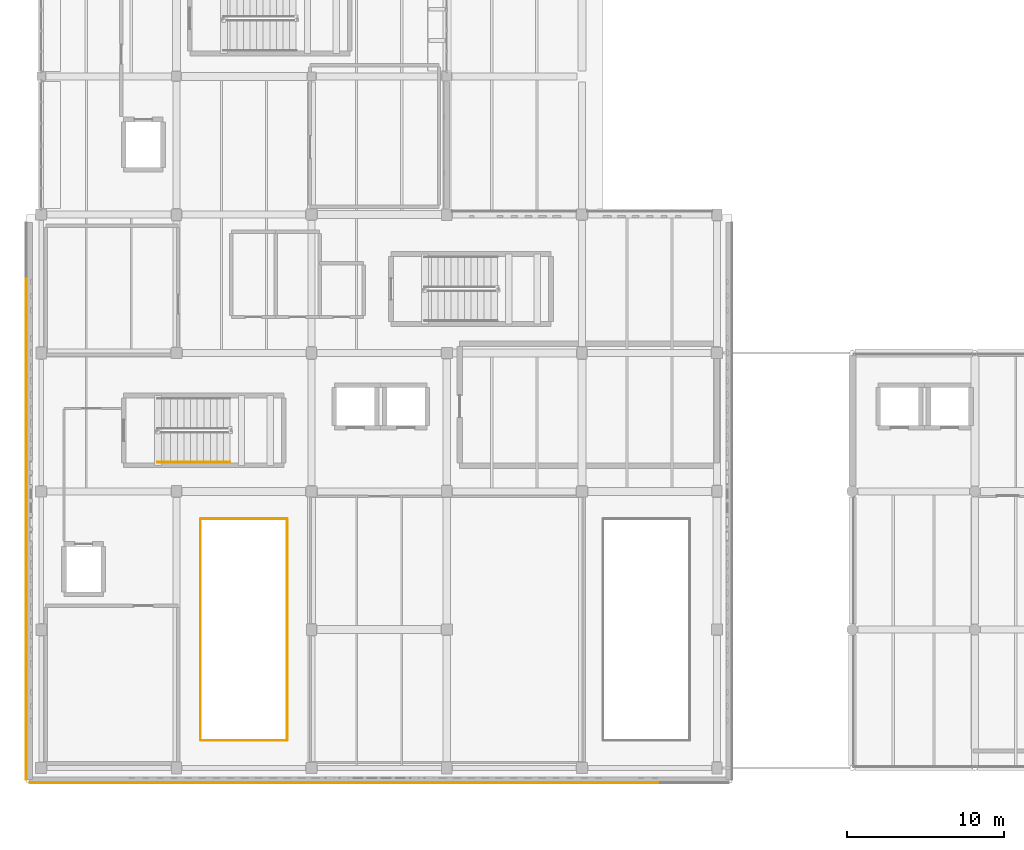
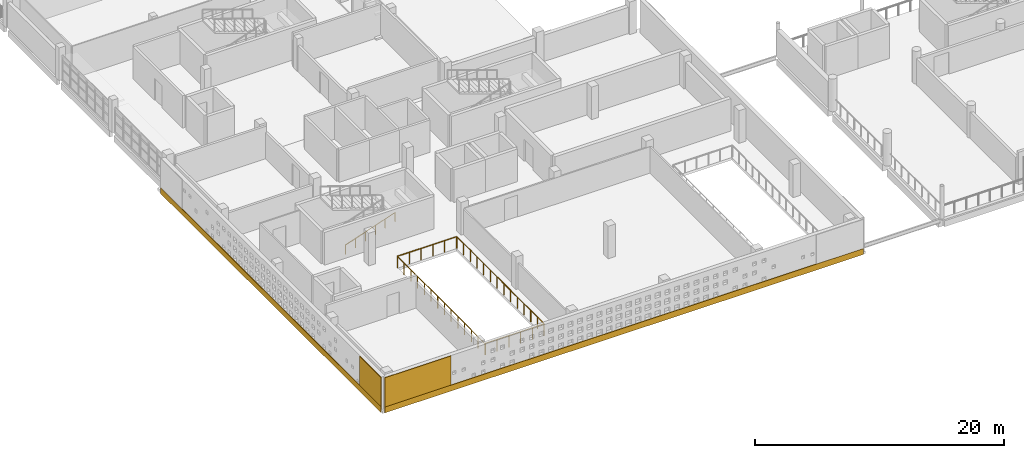
# One storey, part 47 of 55: 5 railings, 4 coverings.
"""IFC4 building model written with IfcOpenShell, lengths in metres."""

from ifc_helpers import new_model, si_unit, direction, frame, origin, origin_2d, place, context, subcontext, project, spatial, rectangle, circle, extrude, material, layer, layer_set, type_object, element, save


model = new_model("IFC4")

# Units and contexts
model_context = context("Model", 3, precision=1e-05, world=origin(), true_north=direction((0.0, 1.0)))
body_context = subcontext(model_context, "Body", "Model", "MODEL_VIEW")
ifc_project = project(units=[si_unit("LENGTHUNIT", "METRE"), si_unit("AREAUNIT", "SQUARE_METRE"), si_unit("VOLUMEUNIT", "CUBIC_METRE"), si_unit("PLANEANGLEUNIT", "RADIAN"), si_unit("MASSUNIT", "GRAM", prefix="KILO")], contexts=[model_context])

# Site, building, storey
site_placement = place(None, origin())
site = spatial("IfcSite", under=ifc_project, at=site_placement, CompositionType="ELEMENT")
building_placement = place(site_placement, origin())
building = spatial("IfcBuilding", under=site, at=building_placement, Name="Varnakota Cinema and Media Centre", CompositionType="ELEMENT")
storey_placement = place(building_placement, frame((0.0, 0.0, 15.60009765625)))
storey = spatial("IfcBuildingStorey", under=building, at=storey_placement, Name="L04", CompositionType="ELEMENT", Elevation=15.60009765625)

# Coverings
ifc_material_1 = material(Name="Pale Tandur limestone cladding", Category="masonry")
ifc_layer_1 = layer(ifc_material_1, 0.06005859375)
ifc_layer_set_1 = layer_set([ifc_layer_1], Name="Pale Tandur limestone cladding")
covering_type = type_object("IfcCoveringType", Name="COV-TANDUR-ASHLAR-60", PredefinedType="CLADDING", material=ifc_layer_set_1)
covering_1_placement = place(storey_placement, frame((21.5, -0.945068359375, -0.250244140625), z_axis=(0.0, 0.0, 1.0), x_axis=(-1.0, 0.0, 0.0)))
element("IfcCovering", 1, at=covering_1_placement, inside=storey, type_object=covering_type, Name="L04 V4 pale Tandur stone spandrel ashlar V4-S", PredefinedType="CLADDING", context=body_context, shape_type="SweptSolid", body=[
    extrude(rectangle(XDim=44.47998046875, YDim=0.06005859375, at=origin_2d()), origin(), (0.0, 0.0, 1.0), 0.580078125),
])
covering_2_placement = place(storey_placement, frame((2.344970703125, -0.945068359375, 0.329833984375), z_axis=(0.0, 0.0, 1.0), x_axis=(-1.0, 0.0, 0.0)))
element("IfcCovering", 2, at=covering_2_placement, inside=storey, type_object=covering_type, Name="L04 V4 pale Tandur stone right corner ashlar V4-S", PredefinedType="CLADDING", context=body_context, shape_type="SweptSolid", body=[
    extrude(rectangle(XDim=6.169921875, YDim=0.06005859375, at=origin_2d()), origin(), (0.0, 0.0, 1.0), 2.8701171875),
])
covering_3_placement = place(storey_placement, frame((-0.945068359375, 16.97998046875, -0.250244140625), z_axis=(0.0, 0.0, 1.0), x_axis=(0.0, 1.0, 0.0)))
element("IfcCovering", 3, at=covering_3_placement, inside=storey, type_object=covering_type, Name="L04 V4 pale Tandur stone spandrel ashlar V4-W", PredefinedType="CLADDING", context=body_context, shape_type="SweptSolid", body=[
    extrude(rectangle(XDim=35.43994140625, YDim=0.06005859375, at=origin_2d()), origin(), (0.0, 0.0, 1.0), 0.580078125),
])
covering_4_placement = place(storey_placement, frame((-0.945068359375, 0.985107421875, 0.329833984375), z_axis=(0.0, 0.0, 1.0), x_axis=(0.0, 1.0, 0.0)))
element("IfcCovering", 4, at=covering_4_placement, inside=storey, type_object=covering_type, Name="L04 V4 pale Tandur stone left corner ashlar V4-W", PredefinedType="CLADDING", context=body_context, shape_type="SweptSolid", body=[
    extrude(rectangle(XDim=3.449951171875, YDim=0.06005859375, at=origin_2d()), origin(), (0.0, 0.0, 1.0), 2.8701171875),
])

# Railings
ifc_material_2 = material(Name="Anodised golden-bronze steel Grade 350 (E350)", Category="steel")
ifc_layer_2 = layer(ifc_material_2, 0.050048828125)
ifc_layer_set_2 = layer_set([ifc_layer_2], Name="Anodised golden-bronze steel Grade 350 (E350)")
railing_type_1 = type_object("IfcRailingType", Name="RAIL-GUARD-1150", PredefinedType="BALUSTRADE", material=ifc_layer_set_2)
railing_1_placement = place(storey_placement, frame((10.169921875, 1.739990234375, 0.0)))
element("IfcRailing", 5, at=railing_1_placement, inside=storey, type_object=railing_type_1, Name="L04 guard balustrade GRD-VOID-L04-1-1", PredefinedType="BALUSTRADE", context=body_context, shape_type="SweptSolid", body=[
    extrude(circle(Radius=0.02392578125, at=origin_2d()), frame((0.0, 0.0, 1.1259765625), z_axis=(1.0, 0.0, 0.0), x_axis=(0.0, 1.0, 0.0)), (0.0, 0.0, 1.0), 5.4599609375),
    extrude(circle(Radius=0.02099609375, at=origin_2d()), origin(), (0.0, 0.0, 1.0), 1.101806640625),
    extrude(circle(Radius=0.02099609375, at=origin_2d()), frame((1.092041015625, 0.0, 0.0)), (0.0, 0.0, 1.0), 1.101806640625),
    extrude(circle(Radius=0.02099609375, at=origin_2d()), frame((2.18408203125, 0.0, 0.0)), (0.0, 0.0, 1.0), 1.101806640625),
    extrude(circle(Radius=0.02099609375, at=origin_2d()), frame((3.27587890625, 0.0, 0.0)), (0.0, 0.0, 1.0), 1.101806640625),
    extrude(circle(Radius=0.02099609375, at=origin_2d()), frame((4.367919921875, 0.0, 0.0)), (0.0, 0.0, 1.0), 1.101806640625),
    extrude(circle(Radius=0.02099609375, at=origin_2d()), frame((5.4599609375, 0.0, 0.0)), (0.0, 0.0, 1.0), 1.101806640625),
])
railing_2_placement = place(storey_placement, frame((15.659912109375, 1.77001953125, 0.0)))
element("IfcRailing", 6, at=railing_2_placement, inside=storey, type_object=railing_type_1, Name="L04 guard balustrade GRD-VOID-L04-1-2", PredefinedType="BALUSTRADE", context=body_context, shape_type="SweptSolid", body=[
    extrude(circle(Radius=0.02392578125, at=origin_2d()), frame((0.0, 0.0, 1.1259765625), z_axis=(0.0, 1.0, 0.0), x_axis=(-1.0, 0.0, 0.0)), (0.0, 0.0, 1.0), 14.06005859375),
    extrude(circle(Radius=0.02099609375, at=origin_2d()), origin(), (0.0, 0.0, 1.0), 1.101806640625),
    extrude(circle(Radius=0.02099609375, at=origin_2d()), frame((0.0, 1.08154296875, 0.0)), (0.0, 0.0, 1.0), 1.101806640625),
    extrude(circle(Radius=0.02099609375, at=origin_2d()), frame((0.0, 2.1630859375, 0.0)), (0.0, 0.0, 1.0), 1.101806640625),
    extrude(circle(Radius=0.02099609375, at=origin_2d()), frame((0.0, 3.24462890625, 0.0)), (0.0, 0.0, 1.0), 1.101806640625),
    extrude(circle(Radius=0.02099609375, at=origin_2d()), frame((0.0, 4.326171875, 0.0)), (0.0, 0.0, 1.0), 1.101806640625),
    extrude(circle(Radius=0.02099609375, at=origin_2d()), frame((0.0, 5.40771484375, 0.0)), (0.0, 0.0, 1.0), 1.101806640625),
    extrude(circle(Radius=0.02099609375, at=origin_2d()), frame((0.0, 6.4892578125, 0.0)), (0.0, 0.0, 1.0), 1.101806640625),
    extrude(circle(Radius=0.02099609375, at=origin_2d()), frame((0.0, 7.57080078125, 0.0)), (0.0, 0.0, 1.0), 1.101806640625),
    extrude(circle(Radius=0.02099609375, at=origin_2d()), frame((0.0, 8.65234375, 0.0)), (0.0, 0.0, 1.0), 1.101806640625),
    extrude(circle(Radius=0.02099609375, at=origin_2d()), frame((0.0, 9.73388671875, 0.0)), (0.0, 0.0, 1.0), 1.101806640625),
    extrude(circle(Radius=0.02099609375, at=origin_2d()), frame((0.0, 10.8154296875, 0.0)), (0.0, 0.0, 1.0), 1.101806640625),
    extrude(circle(Radius=0.02099609375, at=origin_2d()), frame((0.0, 11.89697265625, 0.0)), (0.0, 0.0, 1.0), 1.101806640625),
    extrude(circle(Radius=0.02099609375, at=origin_2d()), frame((0.0, 12.978515625, 0.0)), (0.0, 0.0, 1.0), 1.101806640625),
    extrude(circle(Radius=0.02099609375, at=origin_2d()), frame((0.0, 14.06005859375, 0.0)), (0.0, 0.0, 1.0), 1.101806640625),
])
railing_3_placement = place(storey_placement, frame((15.6298828125, 15.860107421875, 0.0)))
element("IfcRailing", 7, at=railing_3_placement, inside=storey, type_object=railing_type_1, Name="L04 guard balustrade GRD-VOID-L04-1-3", PredefinedType="BALUSTRADE", context=body_context, shape_type="SweptSolid", body=[
    extrude(circle(Radius=0.02392578125, at=origin_2d()), frame((0.0, 0.0, 1.1259765625), z_axis=(-1.0, 0.0, 0.0), x_axis=(0.0, -1.0, 0.0)), (0.0, 0.0, 1.0), 5.4599609375),
    extrude(circle(Radius=0.02099609375, at=origin_2d()), origin(), (0.0, 0.0, 1.0), 1.101806640625),
    extrude(circle(Radius=0.02099609375, at=origin_2d()), frame((-1.092041015625, 0.0, 0.0)), (0.0, 0.0, 1.0), 1.101806640625),
    extrude(circle(Radius=0.02099609375, at=origin_2d()), frame((-2.18408203125, 0.0, 0.0)), (0.0, 0.0, 1.0), 1.101806640625),
    extrude(circle(Radius=0.02099609375, at=origin_2d()), frame((-3.27587890625, 0.0, 0.0)), (0.0, 0.0, 1.0), 1.101806640625),
    extrude(circle(Radius=0.02099609375, at=origin_2d()), frame((-4.367919921875, 0.0, 0.0)), (0.0, 0.0, 1.0), 1.101806640625),
    extrude(circle(Radius=0.02099609375, at=origin_2d()), frame((-5.4599609375, 0.0, 0.0)), (0.0, 0.0, 1.0), 1.101806640625),
])
railing_4_placement = place(storey_placement, frame((10.139892578125, 15.830078125, 0.0)))
element("IfcRailing", 8, at=railing_4_placement, inside=storey, type_object=railing_type_1, Name="L04 guard balustrade GRD-VOID-L04-1-4", PredefinedType="BALUSTRADE", context=body_context, shape_type="SweptSolid", body=[
    extrude(circle(Radius=0.02392578125, at=origin_2d()), frame((0.0, 0.0, 1.1259765625), z_axis=(0.0, -1.0, 0.0), x_axis=(1.0, 0.0, 0.0)), (0.0, 0.0, 1.0), 14.06005859375),
    extrude(circle(Radius=0.02099609375, at=origin_2d()), origin(), (0.0, 0.0, 1.0), 1.101806640625),
    extrude(circle(Radius=0.02099609375, at=origin_2d()), frame((0.0, -1.08154296875, 0.0)), (0.0, 0.0, 1.0), 1.101806640625),
    extrude(circle(Radius=0.02099609375, at=origin_2d()), frame((0.0, -2.1630859375, 0.0)), (0.0, 0.0, 1.0), 1.101806640625),
    extrude(circle(Radius=0.02099609375, at=origin_2d()), frame((0.0, -3.24462890625, 0.0)), (0.0, 0.0, 1.0), 1.101806640625),
    extrude(circle(Radius=0.02099609375, at=origin_2d()), frame((0.0, -4.326171875, 0.0)), (0.0, 0.0, 1.0), 1.101806640625),
    extrude(circle(Radius=0.02099609375, at=origin_2d()), frame((0.0, -5.40771484375, 0.0)), (0.0, 0.0, 1.0), 1.101806640625),
    extrude(circle(Radius=0.02099609375, at=origin_2d()), frame((0.0, -6.4892578125, 0.0)), (0.0, 0.0, 1.0), 1.101806640625),
    extrude(circle(Radius=0.02099609375, at=origin_2d()), frame((0.0, -7.57080078125, 0.0)), (0.0, 0.0, 1.0), 1.101806640625),
    extrude(circle(Radius=0.02099609375, at=origin_2d()), frame((0.0, -8.65234375, 0.0)), (0.0, 0.0, 1.0), 1.101806640625),
    extrude(circle(Radius=0.02099609375, at=origin_2d()), frame((0.0, -9.73388671875, 0.0)), (0.0, 0.0, 1.0), 1.101806640625),
    extrude(circle(Radius=0.02099609375, at=origin_2d()), frame((0.0, -10.8154296875, 0.0)), (0.0, 0.0, 1.0), 1.101806640625),
    extrude(circle(Radius=0.02099609375, at=origin_2d()), frame((0.0, -11.89697265625, 0.0)), (0.0, 0.0, 1.0), 1.101806640625),
    extrude(circle(Radius=0.02099609375, at=origin_2d()), frame((0.0, -12.978515625, 0.0)), (0.0, 0.0, 1.0), 1.101806640625),
    extrude(circle(Radius=0.02099609375, at=origin_2d()), frame((0.0, -14.06005859375, 0.0)), (0.0, 0.0, 1.0), 1.101806640625),
])
ifc_material_3 = material(Name="Structural steel Grade 350 (E350)", Category="steel")
ifc_layer_3 = layer(ifc_material_3, 0.048095703125)
ifc_layer_set_3 = layer_set([ifc_layer_3], Name="Structural steel Grade 350 (E350)")
railing_type_2 = type_object("IfcRailingType", Name="RAIL-STAIR-HAND-900", PredefinedType="HANDRAIL", material=ifc_layer_set_3)
railing_5_placement = place(storey_placement, frame((7.39990234375, 19.449951171875, 0.1435546875)))
element("IfcRailing", 9, at=railing_5_placement, inside=storey, type_object=railing_type_2, Name="L04 ST-01 stair handrail 1", PredefinedType="HANDRAIL", context=body_context, shape_type="SweptSolid", body=[
    extrude(circle(Radius=0.02392578125, at=origin_2d()), frame((0.0, 0.0, 0.8759765625), z_axis=(0.946118040162, 0.0, 0.323821948115), x_axis=(0.0, 1.0, 0.0)), (0.0, 0.0, 1.0), 4.88330078125),
    extrude(circle(Radius=0.02099609375, at=origin_2d()), origin(), (0.0, 0.0, 1.0), 0.851806640625),
    extrude(circle(Radius=0.02099609375, at=origin_2d()), frame((0.924072265625, 0.0, 0.316162109375)), (0.0, 0.0, 1.0), 0.851806640625),
    extrude(circle(Radius=0.02099609375, at=origin_2d()), frame((1.84814453125, 0.0, 0.632568359375)), (0.0, 0.0, 1.0), 0.851806640625),
    extrude(circle(Radius=0.02099609375, at=origin_2d()), frame((2.77197265625, 0.0, 0.94873046875)), (0.0, 0.0, 1.0), 0.851806640625),
    extrude(circle(Radius=0.02099609375, at=origin_2d()), frame((3.696044921875, 0.0, 1.26513671875)), (0.0, 0.0, 1.0), 0.851806640625),
    extrude(circle(Radius=0.02099609375, at=origin_2d()), frame((4.6201171875, 0.0, 1.581298828125)), (0.0, 0.0, 1.0), 0.851806640625),
])

save(model, "model.ifc")
